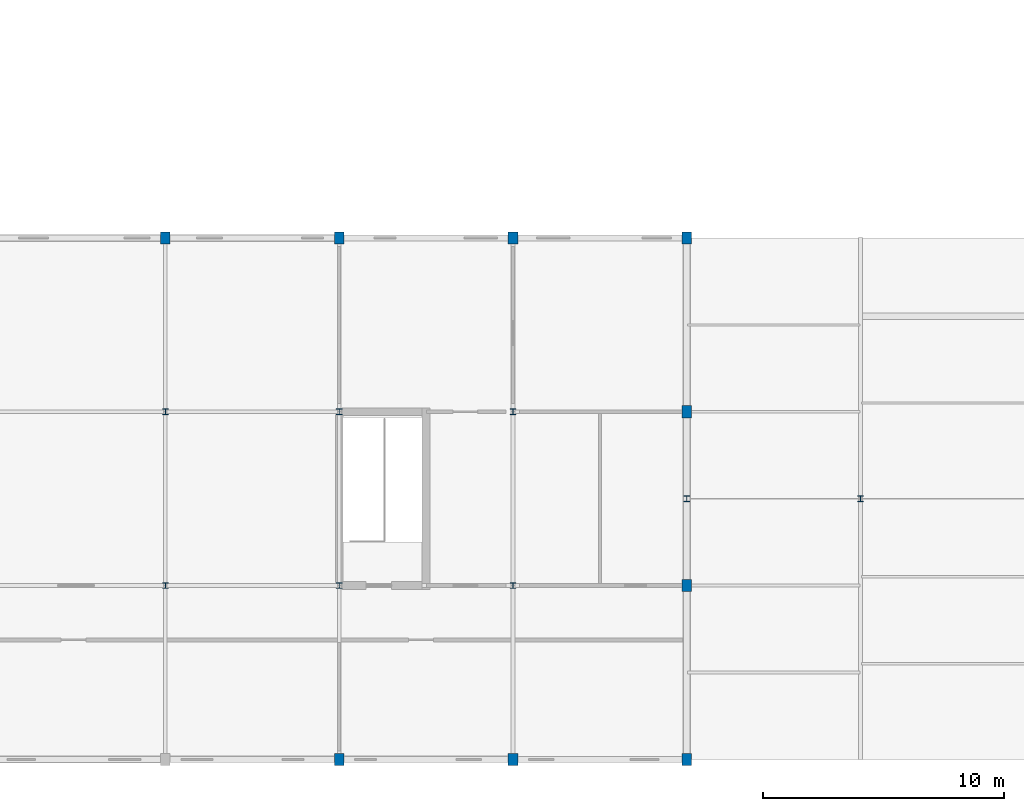
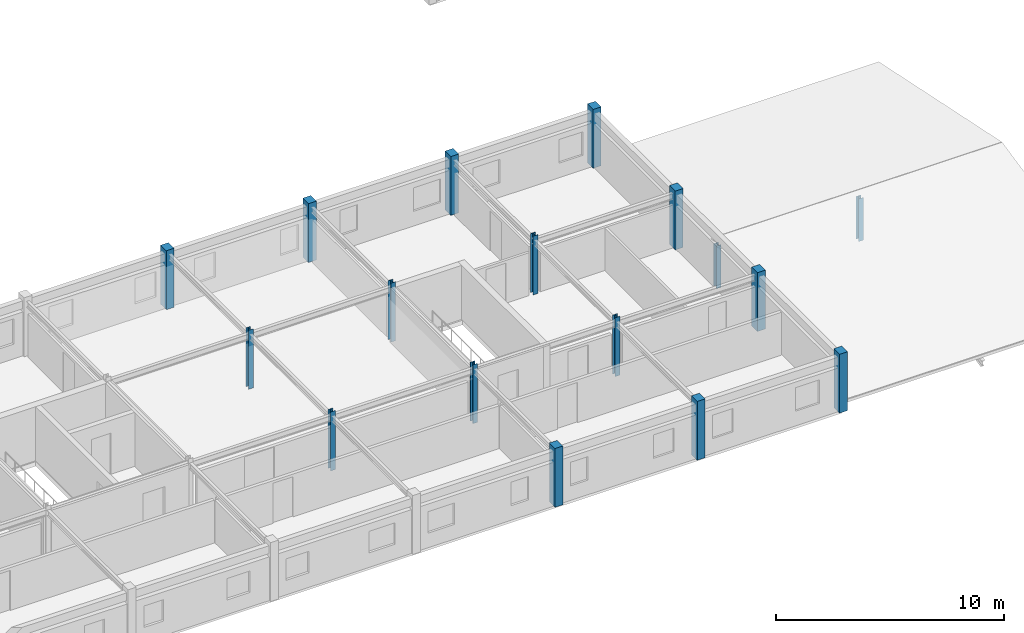
# One storey, part 4 of 50: 17 columns.
"""IFC4 building model written with IfcOpenShell, lengths in metres."""

import ifcopenshell
import ifcopenshell.guid

model = None  # the IFC model being written
_history = None  # IfcOwnerHistory: only IFC2X3 demands one
_inside = {}  # id of a spatial element -> (the spatial element, [elements in it])
_under = {}  # id of a project, library or spatial element -> (it, [spatial elements below it])
_declared = {}  # id of a project -> (the project, [libraries it declares])
_typed = {}  # id of a type object -> (the type object, [elements of that type])
_made_of = {}  # id of a material, layer set ... -> (it, [elements and type objects made of it])


def new_model(schema):
    """Start an empty IFC model of exactly this schema.

    Asked for "IFC4X3", IfcOpenShell would pick the latest addendum, in which some entities
    have other attributes; the version numbers below select the first issue.
    IFC2X3 requires an IfcOwnerHistory on every rooted entity: one is made here for all.
    """
    global model, _history
    if schema == "IFC4X3":
        model = ifcopenshell.file(schema_version=(4, 3, 0, 0))
    else:
        model = ifcopenshell.file(schema=schema)
    _inside.clear()
    _under.clear()
    _declared.clear()
    _typed.clear()
    _made_of.clear()
    _history = None
    if model.schema == "IFC2X3":
        org = make("IfcOrganization", Name="unknown")
        user = make(
            "IfcPersonAndOrganization",
            ThePerson=make("IfcPerson", FamilyName="unknown"),
            TheOrganization=org,
        )
        app = make(
            "IfcApplication",
            ApplicationDeveloper=org,
            Version="unknown",
            ApplicationFullName="unknown",
            ApplicationIdentifier="unknown",
        )
        _history = make(
            "IfcOwnerHistory",
            OwningUser=user,
            OwningApplication=app,
            ChangeAction="ADDED",
            CreationDate=0,
        )
    return model


def make(cls, **values):
    """One entity of the class cls with the attributes given. An attribute that is None is left unset."""
    return model.create_entity(
        cls, **{name: value for name, value in values.items() if value is not None}
    )


def rooted(cls, **values):
    """An entity with a GlobalId (a new one), such as an element, a storey or a relation."""
    return make(cls, GlobalId=ifcopenshell.guid.new(), OwnerHistory=_history, **values)


def si_unit(unit_type, name, prefix=None):
    """IfcSIUnit, for example si_unit("LENGTHUNIT", "METRE", prefix="MILLI")."""
    return make("IfcSIUnit", UnitType=unit_type, Prefix=prefix, Name=name)


def assignment(units):
    """IfcUnitAssignment: the units of a project."""
    return None if units is None else make("IfcUnitAssignment", Units=units)


def point(xyz):
    """IfcCartesianPoint."""
    return None if xyz is None else make("IfcCartesianPoint", Coordinates=xyz)


def direction(xyz):
    """IfcDirection."""
    return None if xyz is None else make("IfcDirection", DirectionRatios=xyz)


def frame(location, z_axis=None, x_axis=None):
    """IfcAxis2Placement3D, a coordinate frame: its origin and axes. An axis left out is left unset."""
    return make(
        "IfcAxis2Placement3D",
        Location=point(location),
        Axis=direction(z_axis),
        RefDirection=direction(x_axis),
    )


def frame_2d(location, x_axis=None):
    """IfcAxis2Placement2D, a coordinate frame in the plane: its origin and x axis."""
    return make(
        "IfcAxis2Placement2D", Location=point(location), RefDirection=direction(x_axis)
    )


def origin():
    """The frame at (0, 0, 0) with its axes left unset."""
    return frame((0.0, 0.0, 0.0))


def origin_2d():
    """The frame at (0, 0) in the plane with its x axis left unset."""
    return frame_2d((0.0, 0.0))


def place(relative_to, where):
    """IfcLocalPlacement: puts the frame where relative to a parent placement (None: the world)."""
    return make(
        "IfcLocalPlacement", PlacementRelTo=relative_to, RelativePlacement=where
    )


def context(
    kind, dimensions, precision=None, world=None, true_north=None, identifier=None
):
    """IfcGeometricRepresentationContext, for example the 3D "Model" context."""
    return make(
        "IfcGeometricRepresentationContext",
        ContextIdentifier=identifier,
        ContextType=kind,
        CoordinateSpaceDimension=dimensions,
        Precision=precision,
        WorldCoordinateSystem=world,
        TrueNorth=true_north,
    )


def subcontext(parent, identifier, kind, view, scale=None):
    """IfcGeometricRepresentationSubContext, for example "Body" below "Model"."""
    return make(
        "IfcGeometricRepresentationSubContext",
        ContextIdentifier=identifier,
        ContextType=kind,
        ParentContext=parent,
        TargetScale=scale,
        TargetView=view,
    )


def project(units=None, contexts=None):
    """IfcProject with its units and contexts."""
    return rooted(
        "IfcProject",
        Name="project",
        RepresentationContexts=contexts,
        UnitsInContext=assignment(units),
    )


def spatial(cls, under=None, at=None, **own):
    """A site, building, storey or space (cls), placed at a placement, below another one or the project."""
    s = rooted(cls, ObjectPlacement=at, **own)
    if under is not None:
        _under.setdefault(under.id(), (under, []))[1].append(s)
    return s


def profile(cls, at=None, kind="AREA", **sizes):
    """A parametric profile (cls). Its sizes go by their IFC names, for example OverallWidth=200.0."""
    return make(cls, ProfileType=kind, Position=at, **sizes)


def rectangle(**sizes):
    """IfcRectangleProfileDef."""
    return profile("IfcRectangleProfileDef", **sizes)


def i_section(**sizes):
    """IfcIShapeProfileDef."""
    return profile("IfcIShapeProfileDef", **sizes)


def extrude(swept, where, along, depth):
    """IfcExtrudedAreaSolid: the profile swept, set in the frame where, extruded along a direction by depth."""
    return make(
        "IfcExtrudedAreaSolid",
        SweptArea=swept,
        Position=where,
        ExtrudedDirection=direction(along),
        Depth=depth,
    )


def shape(context_of_items, identifier, shape_type, items):
    """IfcShapeRepresentation: the items that make up one representation, for example the "Body"."""
    return make(
        "IfcShapeRepresentation",
        ContextOfItems=context_of_items,
        RepresentationIdentifier=identifier,
        RepresentationType=shape_type,
        Items=items,
    )


def material(Name=None, Category=None):
    """IfcMaterial."""
    return make("IfcMaterial", Name=Name, Category=Category)


def material_profile(
    of_material, cross_section, Name=None, Category=None, Priority=None
):
    """IfcMaterialProfile: a cross section and its material."""
    return make(
        "IfcMaterialProfile",
        Name=Name,
        Material=of_material,
        Profile=cross_section,
        Priority=Priority,
        Category=Category,
    )


def profile_set(profiles, Name=None, composite=None):
    """IfcMaterialProfileSet."""
    return make(
        "IfcMaterialProfileSet",
        Name=Name,
        MaterialProfiles=profiles,
        CompositeProfile=composite,
    )


def made_of(thing, what):
    """Note that an element or type object is made of a material, layer set ...; save() writes the relation."""
    if what is not None:
        _made_of.setdefault(what.id(), (what, []))[1].append(thing)
    return thing


def type_object(cls, material=None, **own):
    """A type object (cls), such as IfcWallType, which elements share."""
    return made_of(rooted(cls, **own), material)


def element(
    cls,
    number,
    at=None,
    inside=None,
    cuts=None,
    type_object=None,
    material=None,
    context=None,
    identifier="Body",
    shape_type=None,
    held_by="IfcProductDefinitionShape",
    body=None,
    shapes=None,
    **own,
):
    """One element of the class cls, such as IfcWall. Its Tag is "e" and its number.

    at: its placement. inside: the storey or other place that contains it. cuts: it is an
    opening in that element (IfcRelVoidsElement). A single representation is given by context,
    identifier, shape_type and body (its items); several are given by shapes. held_by: the class
    of the entity that holds the representations. save() writes the other relations.
    """
    e = rooted(cls, Tag="e%d" % number, ObjectPlacement=at, **own)
    if body is not None:
        shapes = [shape(context, identifier, shape_type, body)]
    if shapes is not None:
        e.Representation = make(held_by, Representations=shapes)
    if inside is not None:
        _inside.setdefault(inside.id(), (inside, []))[1].append(e)
    if cuts is not None:
        rooted(
            "IfcRelVoidsElement", RelatingBuildingElement=cuts, RelatedOpeningElement=e
        )
    if type_object is not None:
        _typed.setdefault(type_object.id(), (type_object, []))[1].append(e)
    return made_of(e, material)


def aggregate(whole, parts):
    """IfcRelAggregates: a whole, such as a stair, and the parts it consists of."""
    return rooted("IfcRelAggregates", RelatingObject=whole, RelatedObjects=parts)


def save(model, path):
    """Write the relations noted so far, then the file.

    IfcRelAggregates (storeys below a building ...), IfcRelContainedInSpatialStructure (elements
    in a storey), IfcRelDefinesByType, IfcRelAssociatesMaterial and IfcRelDeclares: one each for
    every whole, place, type object, material and project.
    """
    for whole, parts in _under.values():
        aggregate(whole, parts)
    for where, things in _inside.values():
        rooted(
            "IfcRelContainedInSpatialStructure",
            RelatedElements=things,
            RelatingStructure=where,
        )
    for kind, things in _typed.values():
        rooted("IfcRelDefinesByType", RelatedObjects=things, RelatingType=kind)
    for what, things in _made_of.values():
        rooted("IfcRelAssociatesMaterial", RelatedObjects=things, RelatingMaterial=what)
    for by, libraries in _declared.values():
        rooted("IfcRelDeclares", RelatingContext=by, RelatedDefinitions=libraries)
    model.write(path)


model = new_model("IFC4")

# Units and contexts
model_context = context("Model", 3, precision=1e-05, world=origin(), true_north=direction((0.0, 1.0)))
body_context = subcontext(model_context, "Body", "Model", "MODEL_VIEW")
ifc_project = project(units=[si_unit("LENGTHUNIT", "METRE"), si_unit("AREAUNIT", "SQUARE_METRE"), si_unit("VOLUMEUNIT", "CUBIC_METRE"), si_unit("PLANEANGLEUNIT", "RADIAN"), si_unit("MASSUNIT", "GRAM", prefix="KILO"), si_unit("THERMODYNAMICTEMPERATUREUNIT", "KELVIN"), si_unit("POWERUNIT", "WATT")], contexts=[model_context])

# Site, building, storey
site_placement = place(None, origin())
site = spatial("IfcSite", under=ifc_project, at=site_placement, CompositionType="ELEMENT")
building_placement = place(site_placement, origin())
building = spatial("IfcBuilding", under=site, at=building_placement, Name="Tavuni Mirador Residences", CompositionType="ELEMENT")
storey_placement = place(building_placement, frame((0.0, 0.0, 4.5)))
storey = spatial("IfcBuildingStorey", under=building, at=storey_placement, Name="L01", CompositionType="ELEMENT", Elevation=4.5)

# Columns
ifc_material_1 = material(Name="Precast concrete C40/50", Category="concrete")
ifc_material_profile_1 = material_profile(ifc_material_1, rectangle(XDim=0.39990234375, YDim=0.5, at=origin_2d()), Name="PC 400x500", Category="concrete")
ifc_profile_set_1 = profile_set([ifc_material_profile_1], Name="Precast concrete C40/50")
column_type_1 = type_object("IfcColumnType", Name="CT-PC400X500", PredefinedType="COLUMN", material=ifc_profile_set_1)
for number, where, z_axis, x_axis, name in (
    (1, (68.39990234375, 28.800048828125, 0.0), (0.0, 0.0, 1.0), (1.0, 0.0, 0.0), "COL-PAV-SHOP-L01-03-03"),
    (2, (75.60009765625, 7.199951171875, 0.0), (0.0, 0.0, 1.0), (1.0, 0.0, 0.0), "COL-PAV-SHOP-L01-04-00"),
    (3, (75.60009765625, 28.800048828125, 0.0), (0.0, 0.0, 1.0), (1.0, 0.0, 0.0), "COL-PAV-SHOP-L01-04-03"),
    (4, (82.800048828125, 7.199951171875, 0.0), (0.0, 0.0, 1.0), (1.0, 0.0, 0.0), "COL-PAV-SHOP-L01-05-00"),
    (5, (82.800048828125, 28.800048828125, 0.0), (0.0, 0.0, 1.0), (1.0, 0.0, 0.0), "COL-PAV-SHOP-L01-05-03"),
    (6, (90.0, 7.199951171875, 0.0), (0.0, 0.0, 1.0), (1.0, 0.0, 0.0), "COL-PAV-SHOP-L01-06-00"),
    (7, (90.0, 14.39990234375, 0.0), (0.0, 0.0, 1.0), (1.0, 0.0, 0.0), "COL-PAV-SHOP-L01-06-01"),
    (8, (90.0, 21.60009765625, 0.0), (0.0, 0.0, 1.0), (1.0, 0.0, 0.0), "COL-PAV-SHOP-L01-06-02"),
    (9, (90.0, 28.800048828125, 0.0), (0.0, 0.0, 1.0), (1.0, 0.0, 0.0), "COL-PAV-SHOP-L01-06-03"),
):
    element("IfcColumn", number, at=place(storey_placement, frame(where, z_axis=z_axis, x_axis=x_axis)), inside=storey, type_object=column_type_1, Name=name, PredefinedType="COLUMN", context=body_context, shape_type="SweptSolid", body=[
        extrude(rectangle(XDim=0.39990234375, YDim=0.5, at=origin_2d()), origin(), (0.0, 0.0, 1.0), 3.14990234375),
    ])
ifc_material_2 = material(Name="Structural steel S355", Category="steel")
ifc_material_profile_2 = material_profile(ifc_material_2, i_section(OverallWidth=0.239990234375, OverallDepth=0.239990234375, WebThickness=0.010009765625, FlangeThickness=0.01708984375, FilletRadius=0.02099609375, at=origin_2d()), Name="HEB 240", Category="steel")
ifc_profile_set_2 = profile_set([ifc_material_profile_2], Name="Structural steel S355")
column_type_2 = type_object("IfcColumnType", Name="CT-ST-HEB240", PredefinedType="COLUMN", material=ifc_profile_set_2)
for number, where, z_axis, x_axis, name in (
    (10, (68.39990234375, 14.39990234375, 0.0), (0.0, 0.0, 1.0), (1.0, 0.0, 0.0), "COL-PAV-SHOP-L01-03-01"),
    (11, (68.39990234375, 21.60009765625, 0.0), (0.0, 0.0, 1.0), (1.0, 0.0, 0.0), "COL-PAV-SHOP-L01-03-02"),
    (12, (75.60009765625, 14.39990234375, 0.0), (0.0, 0.0, 1.0), (1.0, 0.0, 0.0), "COL-PAV-SHOP-L01-04-01"),
    (13, (75.60009765625, 21.60009765625, 0.0), (0.0, 0.0, 1.0), (1.0, 0.0, 0.0), "COL-PAV-SHOP-L01-04-02"),
    (14, (82.800048828125, 14.39990234375, 0.0), (0.0, 0.0, 1.0), (1.0, 0.0, 0.0), "COL-PAV-SHOP-L01-05-01"),
    (15, (82.800048828125, 21.60009765625, 0.0), (0.0, 0.0, 1.0), (1.0, 0.0, 0.0), "COL-PAV-SHOP-L01-05-02"),
):
    element("IfcColumn", number, at=place(storey_placement, frame(where, z_axis=z_axis, x_axis=x_axis)), inside=storey, type_object=column_type_2, Name=name, PredefinedType="COLUMN", context=body_context, shape_type="SweptSolid", body=[
        extrude(i_section(OverallWidth=0.239990234375, OverallDepth=0.239990234375, WebThickness=0.010009765625, FlangeThickness=0.01708984375, FilletRadius=0.02099609375, at=origin_2d()), origin(), (0.0, 0.0, 1.0), 3.14990234375),
    ])
for number, where, z_axis, x_axis, name in (
    (16, (90.0, 18.0, 0.0), (0.0, 0.0, 1.0), (1.0, 0.0, 0.0), "COL-SHOP-CP-RDG-L01-1"),
    (17, (97.199951171875, 18.0, 0.0), (0.0, 0.0, 1.0), (1.0, 0.0, 0.0), "COL-SHOP-CP-RDG-L01-2"),
):
    element("IfcColumn", number, at=place(storey_placement, frame(where, z_axis=z_axis, x_axis=x_axis)), inside=storey, type_object=column_type_2, Name=name, PredefinedType="COLUMN", context=body_context, shape_type="SweptSolid", body=[
        extrude(i_section(OverallWidth=0.239990234375, OverallDepth=0.239990234375, WebThickness=0.010009765625, FlangeThickness=0.01708984375, FilletRadius=0.02099609375, at=origin_2d()), origin(), (0.0, 0.0, 1.0), 2.280029296875),
    ])

save(model, "model.ifc")
